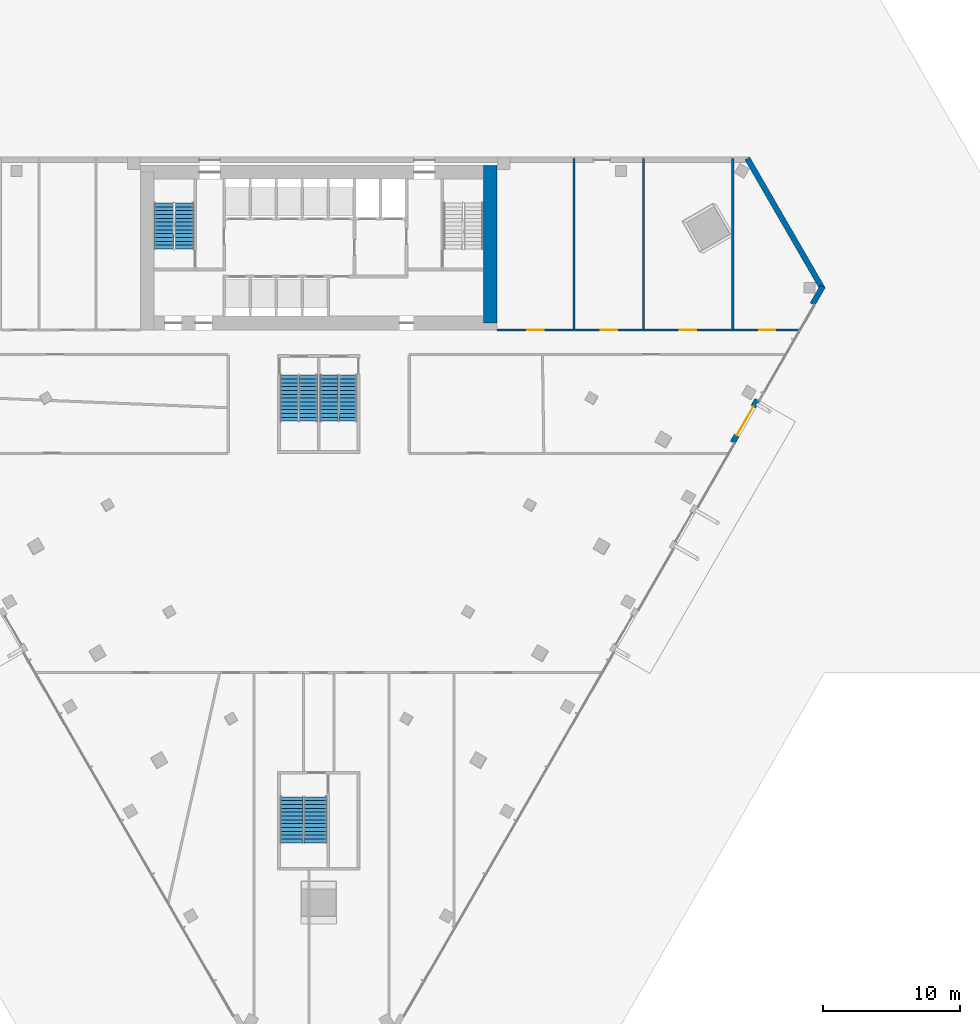
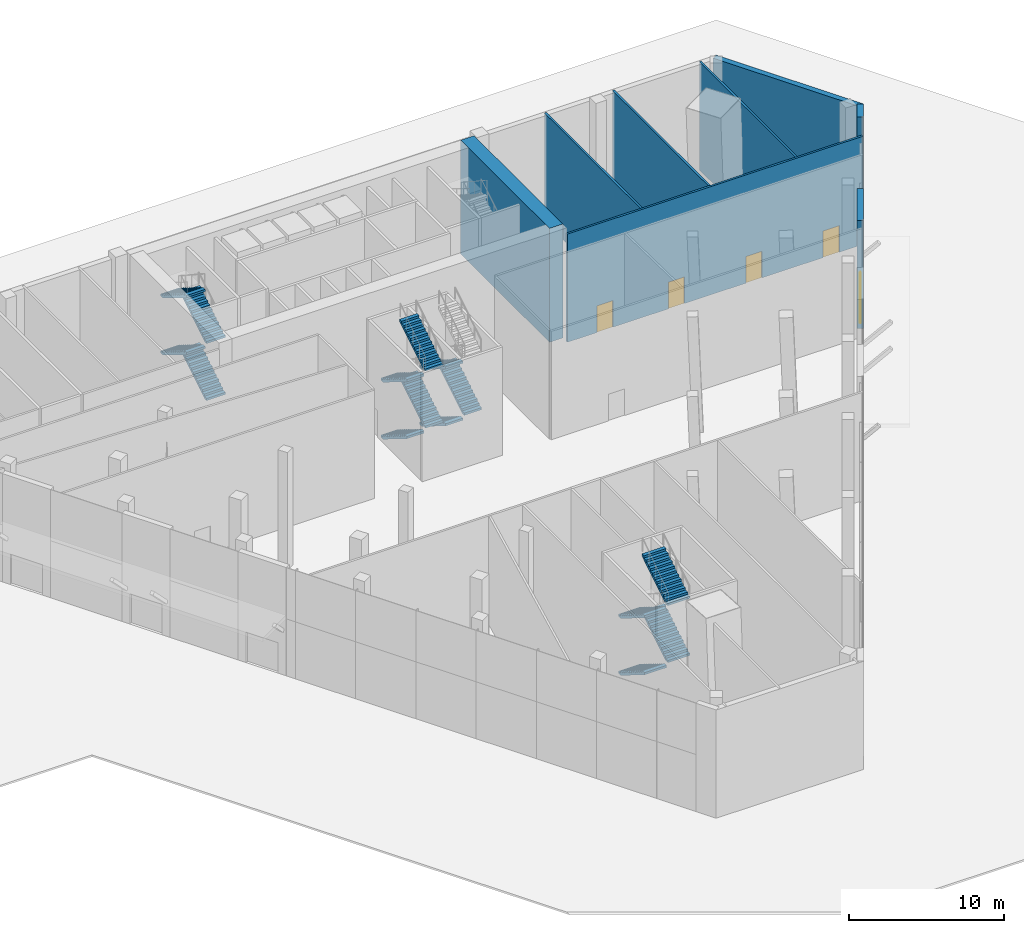
# One storey, part 15 of 21: 15 stair flights, 8 walls, 5 doors, 5 openings, 4 elements without a shape of their own.
"""IFC4 building model written with IfcOpenShell, lengths in metres."""

from ifc_helpers import new_model, si_unit, direction, frame, frame_2d, origin, place, context, subcontext, project, spatial, polyline, rectangle, outline, extrude, material, layer, layer_set, type_object, element, fill, aggregate, save


model = new_model("IFC4")

# Units and contexts
model_context = context("Model", 3, precision=1e-05, world=origin(), true_north=direction((0.0, 1.0)))
body_context = subcontext(model_context, "Body", "Model", "MODEL_VIEW")
ifc_project = project(units=[si_unit("LENGTHUNIT", "METRE"), si_unit("AREAUNIT", "SQUARE_METRE"), si_unit("VOLUMEUNIT", "CUBIC_METRE"), si_unit("PLANEANGLEUNIT", "RADIAN"), si_unit("MASSUNIT", "GRAM", prefix="KILO")], contexts=[model_context])

# Site, building, storey
site_placement = place(None, origin())
site = spatial("IfcSite", under=ifc_project, at=site_placement, CompositionType="ELEMENT")
building_placement = place(site_placement, origin())
building = spatial("IfcBuilding", under=site, at=building_placement, Name="Altiplano Prism Tower", CompositionType="ELEMENT")
storey_placement = place(building_placement, origin())
storey = spatial("IfcBuildingStorey", under=building, at=storey_placement, Name="L00", CompositionType="ELEMENT", Elevation=0.0)

# Wall
ifc_material_1 = material(Name="Concrete C70/85", Category="concrete")
ifc_layer_1 = layer(ifc_material_1, 1.0)
ifc_layer_set_1 = layer_set([ifc_layer_1], Name="Concrete C70/85")
wall_type_1 = type_object("IfcWallType", Name="Core wall 1000", PredefinedType="SHEAR", material=ifc_layer_set_1)
wall_1_placement = place(storey_placement, frame((97.5, 92.89990234375, 0.0), z_axis=(0.0, 0.0, 1.0), x_axis=(0.0, 1.0, 0.0)))
element("IfcWall", 1, at=wall_1_placement, inside=storey, type_object=wall_type_1, Name="Core wall E L00", PredefinedType="SHEAR", context=body_context, shape_type="SweptSolid", body=[
    extrude(rectangle(XDim=11.5, YDim=1.0, at=frame_2d((5.75, 0.0))), origin(), (0.0, 0.0, 1.0), 9.0),
])

# Wall, openings, doors
ifc_material_2 = material(Name="Plasterboard on steel stud", Category="steel")
ifc_layer_2 = layer(ifc_material_2, 0.14990234375)
ifc_layer_set_2 = layer_set([ifc_layer_2], Name="Plasterboard on steel stud")
wall_type_2 = type_object("IfcWallType", Name="Partition 150 corridor", PredefinedType="PARTITIONING", material=ifc_layer_set_2)
wall_2_placement = place(storey_placement, frame((120.083740234375, 92.39990234375, 0.0), z_axis=(0.0, 0.0, 1.0), x_axis=(-1.0, 0.0, 0.0)))
wall_2 = element("IfcWall", 2, at=wall_2_placement, inside=storey, type_object=wall_type_2, Name="Partition P06 L00 012", PredefinedType="PARTITIONING", context=body_context, shape_type="SweptSolid", body=[
    extrude(rectangle(XDim=22.083740234375, YDim=0.14990234375, at=frame_2d((11.0419921875, 0.0))), origin(), (0.0, 0.0, 1.0), 8.550048828125),
])
opening_1_placement = place(wall_2_placement, frame((7.53759765625, 0.0, 0.0)))
opening_1 = element("IfcOpeningElement", 3, at=opening_1_placement, cuts=wall_2, Name="Opening D0017", PredefinedType="OPENING", context=body_context, shape_type="SweptSolid", body=[
    extrude(rectangle(XDim=1.199951171875, YDim=2.10009765625, at=frame_2d((0.60009765625, 1.050048828125))), frame((0.0, 0.08544921875, 0.0), z_axis=(0.0, -1.0, 0.0), x_axis=(1.0, 0.0, 0.0)), (0.0, 0.0, 1.0), 0.1708984375),
])
opening_2_placement = place(wall_2_placement, frame((18.672607421875, 0.0, 0.0)))
opening_2 = element("IfcOpeningElement", 4, at=opening_2_placement, cuts=wall_2, Name="Opening D0018", PredefinedType="OPENING", context=body_context, shape_type="SweptSolid", body=[
    extrude(rectangle(XDim=1.199951171875, YDim=2.10009765625, at=frame_2d((0.60009765625, 1.050048828125))), frame((0.0, 0.08544921875, 0.0), z_axis=(0.0, -1.0, 0.0), x_axis=(1.0, 0.0, 0.0)), (0.0, 0.0, 1.0), 0.1708984375),
])
opening_3_placement = place(wall_2_placement, frame((13.324462890625, 0.0, 0.0)))
opening_3 = element("IfcOpeningElement", 5, at=opening_3_placement, cuts=wall_2, Name="Opening D0020", PredefinedType="OPENING", context=body_context, shape_type="SweptSolid", body=[
    extrude(rectangle(XDim=1.199951171875, YDim=2.10009765625, at=frame_2d((0.60009765625, 1.050048828125))), frame((0.0, 0.08544921875, 0.0), z_axis=(0.0, -1.0, 0.0), x_axis=(1.0, 0.0, 0.0)), (0.0, 0.0, 1.0), 0.1708984375),
])
opening_4_placement = place(wall_2_placement, frame((1.7724609375, 0.0, 0.0)))
opening_4 = element("IfcOpeningElement", 6, at=opening_4_placement, cuts=wall_2, Name="Opening D0021", PredefinedType="OPENING", context=body_context, shape_type="SweptSolid", body=[
    extrude(rectangle(XDim=1.199951171875, YDim=2.10009765625, at=frame_2d((0.60009765625, 1.050048828125))), frame((0.0, 0.08544921875, 0.0), z_axis=(0.0, -1.0, 0.0), x_axis=(1.0, 0.0, 0.0)), (0.0, 0.0, 1.0), 0.1708984375),
])
ifc_material_3 = material(Name="Timber", Category="wood")
door_type_1 = type_object("IfcDoorType", Name="Shared room door 1200 x 2100", OperationType="NOTDEFINED", PredefinedType="NOTDEFINED", material=ifc_material_3)
door_1_placement = place(opening_1_placement, origin())
door_1 = element("IfcDoor", 7, at=door_1_placement, inside=storey, type_object=door_type_1, Name="Door D0017", OperationType="SINGLE_SWING_LEFT", OverallHeight=2.10009765625, OverallWidth=1.199951171875, PredefinedType="NOTDEFINED", context=body_context, shape_type="SweptSolid", body=[
    extrude(rectangle(XDim=1.199951171875, YDim=2.10009765625, at=frame_2d((0.60009765625, 1.050048828125))), frame((0.0, 0.02490234375, 0.0), z_axis=(0.0, -1.0, 0.0), x_axis=(1.0, 0.0, 0.0)), (0.0, 0.0, 1.0), 0.050048828125),
])
fill(opening_1, door_1)
door_2_placement = place(opening_2_placement, origin())
door_2 = element("IfcDoor", 8, at=door_2_placement, inside=storey, type_object=door_type_1, Name="Door D0018", OperationType="SINGLE_SWING_RIGHT", OverallHeight=2.10009765625, OverallWidth=1.199951171875, PredefinedType="NOTDEFINED", context=body_context, shape_type="SweptSolid", body=[
    extrude(rectangle(XDim=1.199951171875, YDim=2.10009765625, at=frame_2d((0.60009765625, 1.050048828125))), frame((0.0, 0.02490234375, 0.0), z_axis=(0.0, -1.0, 0.0), x_axis=(1.0, 0.0, 0.0)), (0.0, 0.0, 1.0), 0.050048828125),
])
fill(opening_2, door_2)
door_3_placement = place(opening_3_placement, origin())
door_3 = element("IfcDoor", 9, at=door_3_placement, inside=storey, type_object=door_type_1, Name="Door D0020", OperationType="SINGLE_SWING_LEFT", OverallHeight=2.10009765625, OverallWidth=1.199951171875, PredefinedType="NOTDEFINED", context=body_context, shape_type="SweptSolid", body=[
    extrude(rectangle(XDim=1.199951171875, YDim=2.10009765625, at=frame_2d((0.60009765625, 1.050048828125))), frame((0.0, 0.02490234375, 0.0), z_axis=(0.0, -1.0, 0.0), x_axis=(1.0, 0.0, 0.0)), (0.0, 0.0, 1.0), 0.050048828125),
])
fill(opening_3, door_3)
door_4_placement = place(opening_4_placement, origin())
door_4 = element("IfcDoor", 10, at=door_4_placement, inside=storey, type_object=door_type_1, Name="Door D0021", OperationType="SINGLE_SWING_RIGHT", OverallHeight=2.10009765625, OverallWidth=1.199951171875, PredefinedType="NOTDEFINED", context=body_context, shape_type="SweptSolid", body=[
    extrude(rectangle(XDim=1.199951171875, YDim=2.10009765625, at=frame_2d((0.60009765625, 1.050048828125))), frame((0.0, 0.02490234375, 0.0), z_axis=(0.0, -1.0, 0.0), x_axis=(1.0, 0.0, 0.0)), (0.0, 0.0, 1.0), 0.050048828125),
])
fill(opening_4, door_4)

# Walls
ifc_layer_3 = layer(ifc_material_2, 0.14990234375)
ifc_layer_set_3 = layer_set([ifc_layer_3], Name="Plasterboard on steel stud")
wall_type_3 = type_object("IfcWallType", Name="Partition 150 party", PredefinedType="PARTITIONING", material=ifc_layer_set_3)
for number, where, z_axis, x_axis, name in (
    (11, (108.697509765625, 104.89990234375, 0.0), (0.0, 0.0, 1.0), (0.0, -1.0, 0.0), "Partition P01 L00 028"),
    (12, (115.1953125, 92.47509765625, 0.0), (0.0, 0.0, 1.0), (0.0, 1.0, 0.0), "Partition P01 L00 029"),
    (13, (103.62158203125, 92.47509765625, 0.0), (0.0, 0.0, 1.0), (0.0, 1.0, 0.0), "Partition P01 L00 030"),
):
    element("IfcWall", number, at=place(storey_placement, frame(where, z_axis=z_axis, x_axis=x_axis)), inside=storey, type_object=wall_type_3, Name=name, PredefinedType="PARTITIONING", context=body_context, shape_type="SweptSolid", body=[
        extrude(rectangle(XDim=12.4248046875, YDim=0.14990234375, at=frame_2d((6.21240234375, 0.0))), origin(), (0.0, 0.0, 1.0), 8.550048828125),
    ])

# Wall, opening, door
ifc_material_4 = material(Name="Concrete C40", Category="concrete")
ifc_layer_4 = layer(ifc_material_4, 0.39990234375)
ifc_layer_set_4 = layer_set([ifc_layer_4], Name="Concrete C40")
wall_type_4 = type_object("IfcWallType", Name="Stone-clad podium wall 400", PredefinedType="SOLIDWALL", material=ifc_layer_set_4)
wall_3_placement = place(storey_placement, frame((116.99072265625, 87.3095703125, 0.0), z_axis=(0.0, 0.0, 1.0), x_axis=(-0.500012057535, -0.866018442252, 0.0)))
wall_3 = element("IfcWall", 14, at=wall_3_placement, inside=storey, type_object=wall_type_4, Name="External wall south-east face L00", PredefinedType="SOLIDWALL", context=body_context, shape_type="SweptSolid", body=[
    extrude(rectangle(XDim=3.60009765625, YDim=0.39990234375, at=frame_2d((1.800048828125, 0.0))), origin(), (0.0, 0.0, 1.0), 8.550048828125),
])
opening_5_placement = place(wall_3_placement, frame((0.60009765625, 0.0, 0.0)))
opening_5 = element("IfcOpeningElement", 15, at=opening_5_placement, cuts=wall_3, Name="Opening D2561", PredefinedType="OPENING", context=body_context, shape_type="SweptSolid", body=[
    extrude(rectangle(XDim=2.39990234375, YDim=2.39990234375, at=frame_2d((1.199951171875, 1.199951171875))), frame((0.0, 0.21044921875, 0.0), z_axis=(0.0, -1.0, 0.0), x_axis=(1.0, 0.0, 0.0)), (0.0, 0.0, 1.0), 0.4208984375),
])
ifc_material_5 = material(Name="Glass", Category="glass")
door_type_2 = type_object("IfcDoorType", Name="Automatic sliding door 2400 x 2400", OperationType="NOTDEFINED", PredefinedType="NOTDEFINED", material=ifc_material_5)
door_5_placement = place(opening_5_placement, origin())
door_5 = element("IfcDoor", 16, at=door_5_placement, inside=storey, type_object=door_type_2, Name="Entrance door concourse south-east face 3", OperationType="SLIDING_TO_LEFT", OverallHeight=2.39990234375, OverallWidth=2.39990234375, PredefinedType="NOTDEFINED", context=body_context, shape_type="SweptSolid", body=[
    extrude(rectangle(XDim=2.39990234375, YDim=2.39990234375, at=frame_2d((1.199951171875, 1.199951171875))), frame((0.0, 0.02490234375, 0.0), z_axis=(0.0, -1.0, 0.0), x_axis=(1.0, 0.0, 0.0)), (0.0, 0.0, 1.0), 0.050048828125),
])
fill(opening_5, door_5)

# Walls
wall_4_placement = place(storey_placement, frame((121.761962890625, 95.57373046875, 0.0), z_axis=(0.0, 0.0, 1.0), x_axis=(-0.499990139034, -0.866031096941, 0.0)))
element("IfcWall", 17, at=wall_4_placement, inside=storey, type_object=wall_type_4, Name="External wall south-east face L00", PredefinedType="SOLIDWALL", context=body_context, shape_type="SweptSolid", body=[
    extrude(rectangle(XDim=1.5, YDim=0.39990234375, at=frame_2d((0.75, 0.0))), origin(), (0.0, 0.0, 1.0), 8.550048828125),
])
wall_5_placement = place(storey_placement, frame((116.261962890625, 104.89990234375, 0.0), z_axis=(0.0, 0.0, 1.0), x_axis=(0.50000615651, -0.866021849293, 0.0)))
element("IfcWall", 18, at=wall_5_placement, inside=storey, type_object=wall_type_4, Name="External wall north-east chamfer L00", PredefinedType="SOLIDWALL", context=body_context, shape_type="SweptSolid", body=[
    extrude(rectangle(XDim=10.999755859375, YDim=0.39990234375, at=frame_2d((5.5, 0.0))), origin(), (0.0, 0.0, 1.0), 8.550048828125),
])

# Stair, stair flights
ifc_material_6 = material(Name="Concrete C40/50", Category="concrete")
stair_type_1 = type_object("IfcStairType", Name="Exit stair 1400", PredefinedType="HALF_TURN_STAIR", material=ifc_material_6)
stair_1_placement = place(storey_placement, origin())
stair_1 = element("IfcStair", 19, at=stair_1_placement, inside=storey, type_object=stair_type_1, Name="L00 Exit Stair 1", PredefinedType="HALF_TURN_STAIR")
stair_flight_type = type_object("IfcStairFlightType", Name="Stair flight concrete 150", PredefinedType="STRAIGHT", material=ifc_material_6)
stair_flight_1_placement = place(storey_placement, frame((75.199951171875, 98.300048828125, 0.0), z_axis=(0.0, 0.0, 1.0), x_axis=(0.0, 1.0, 0.0)))
stair_flight_1 = element("IfcStairFlight", 20, at=stair_flight_1_placement, type_object=stair_flight_type, Name="ST1 flight 1", NumberOfRisers=13, NumberOfTreads=12, PredefinedType="STRAIGHT", RiserHeight=0.173076923, TreadLength=0.28, context=body_context, shape_type="SweptSolid", body=[
    extrude(outline(polyline([(0.0, 0.0), (0.0, 0.173095703125), (0.280029296875, 0.173095703125), (0.280029296875, 0.34619140625), (0.56005859375, 0.34619140625), (0.56005859375, 0.519287109375), (0.840087890625, 0.519287109375), (0.840087890625, 0.6923828125), (1.1201171875, 0.6923828125), (1.1201171875, 0.865478515625), (1.39990234375, 0.865478515625), (1.39990234375, 1.03857421875), (1.679931640625, 1.03857421875), (1.679931640625, 1.21142578125), (1.9599609375, 1.21142578125), (1.9599609375, 1.384521484375), (2.239990234375, 1.384521484375), (2.239990234375, 1.5576171875), (2.52001953125, 1.5576171875), (2.52001953125, 1.730712890625), (2.800048828125, 1.730712890625), (2.800048828125, 1.90380859375), (3.080078125, 1.90380859375), (3.080078125, 2.076904296875), (3.360107421875, 2.076904296875), (3.360107421875, 2.25), (3.360107421875, 1.900634765625), (0.28515625, 0.0), (0.0, 0.0)])), frame((0.0, 0.699951171875, 0.0), z_axis=(0.0, -1.0, 0.0), x_axis=(1.0, 0.0, 0.0)), (0.0, 0.0, 1.0), 1.39990234375),
])
stair_flight_2_placement = place(storey_placement, frame((73.699951171875, 101.659912109375, 2.25), z_axis=(0.0, 0.0, 1.0), x_axis=(0.0, -1.0, 0.0)))
stair_flight_2 = element("IfcStairFlight", 21, at=stair_flight_2_placement, type_object=stair_flight_type, Name="ST1 flight 2", NumberOfRisers=13, NumberOfTreads=12, PredefinedType="STRAIGHT", RiserHeight=0.173076923, TreadLength=0.28, context=body_context, shape_type="SweptSolid", body=[
    extrude(outline(polyline([(0.0, 0.0), (0.0, 0.173095703125), (0.280029296875, 0.173095703125), (0.280029296875, 0.34619140625), (0.56005859375, 0.34619140625), (0.56005859375, 0.519287109375), (0.840087890625, 0.519287109375), (0.840087890625, 0.6923828125), (1.1201171875, 0.6923828125), (1.1201171875, 0.865478515625), (1.39990234375, 0.865478515625), (1.39990234375, 1.03857421875), (1.679931640625, 1.03857421875), (1.679931640625, 1.21142578125), (1.9599609375, 1.21142578125), (1.9599609375, 1.384521484375), (2.239990234375, 1.384521484375), (2.239990234375, 1.5576171875), (2.52001953125, 1.5576171875), (2.52001953125, 1.730712890625), (2.800048828125, 1.730712890625), (2.800048828125, 1.90380859375), (3.080078125, 1.90380859375), (3.080078125, 2.076904296875), (3.360107421875, 2.076904296875), (3.360107421875, 2.25), (3.360107421875, 1.900634765625), (0.28515625, 0.0), (0.0, 0.0)])), frame((0.0, 0.699951171875, 0.0), z_axis=(0.0, -1.0, 0.0), x_axis=(1.0, 0.0, 0.0)), (0.0, 0.0, 1.0), 1.39990234375),
])
stair_flight_3_placement = place(storey_placement, frame((75.199951171875, 98.300048828125, 4.5), z_axis=(0.0, 0.0, 1.0), x_axis=(0.0, 1.0, 0.0)))
stair_flight_3 = element("IfcStairFlight", 22, at=stair_flight_3_placement, type_object=stair_flight_type, Name="ST1 flight 3", NumberOfRisers=13, NumberOfTreads=12, PredefinedType="STRAIGHT", RiserHeight=0.173076923, TreadLength=0.28, context=body_context, shape_type="SweptSolid", body=[
    extrude(outline(polyline([(0.0, 0.0), (0.0, 0.173095703125), (0.280029296875, 0.173095703125), (0.280029296875, 0.34619140625), (0.56005859375, 0.34619140625), (0.56005859375, 0.519287109375), (0.840087890625, 0.519287109375), (0.840087890625, 0.6923828125), (1.1201171875, 0.6923828125), (1.1201171875, 0.865478515625), (1.39990234375, 0.865478515625), (1.39990234375, 1.03857421875), (1.679931640625, 1.03857421875), (1.679931640625, 1.21142578125), (1.9599609375, 1.21142578125), (1.9599609375, 1.384521484375), (2.239990234375, 1.384521484375), (2.239990234375, 1.5576171875), (2.52001953125, 1.5576171875), (2.52001953125, 1.730712890625), (2.800048828125, 1.730712890625), (2.800048828125, 1.90380859375), (3.080078125, 1.90380859375), (3.080078125, 2.076904296875), (3.360107421875, 2.076904296875), (3.360107421875, 2.25), (3.360107421875, 1.900634765625), (0.28515625, 0.0), (0.0, 0.0)])), frame((0.0, 0.699951171875, 0.0), z_axis=(0.0, -1.0, 0.0), x_axis=(1.0, 0.0, 0.0)), (0.0, 0.0, 1.0), 1.39990234375),
])
stair_flight_4_placement = place(storey_placement, frame((73.699951171875, 101.659912109375, 6.75), z_axis=(0.0, 0.0, 1.0), x_axis=(0.0, -1.0, 0.0)))
stair_flight_4 = element("IfcStairFlight", 23, at=stair_flight_4_placement, type_object=stair_flight_type, Name="ST1 flight 4", NumberOfRisers=13, NumberOfTreads=12, PredefinedType="STRAIGHT", RiserHeight=0.173076923, TreadLength=0.28, context=body_context, shape_type="SweptSolid", body=[
    extrude(outline(polyline([(0.0, 0.0), (0.0, 0.173095703125), (0.280029296875, 0.173095703125), (0.280029296875, 0.34619140625), (0.56005859375, 0.34619140625), (0.56005859375, 0.519287109375), (0.840087890625, 0.519287109375), (0.840087890625, 0.6923828125), (1.1201171875, 0.6923828125), (1.1201171875, 0.865478515625), (1.39990234375, 0.865478515625), (1.39990234375, 1.03857421875), (1.679931640625, 1.03857421875), (1.679931640625, 1.21142578125), (1.9599609375, 1.21142578125), (1.9599609375, 1.384521484375), (2.239990234375, 1.384521484375), (2.239990234375, 1.5576171875), (2.52001953125, 1.5576171875), (2.52001953125, 1.730712890625), (2.800048828125, 1.730712890625), (2.800048828125, 1.90380859375), (3.080078125, 1.90380859375), (3.080078125, 2.076904296875), (3.360107421875, 2.076904296875), (3.360107421875, 2.25), (3.360107421875, 1.900634765625), (0.28515625, 0.0), (0.0, 0.0)])), frame((0.0, 0.699951171875, 0.0), z_axis=(0.0, -1.0, 0.0), x_axis=(1.0, 0.0, 0.0)), (0.0, 0.0, 1.0), 1.39990234375),
])
aggregate(stair_1, [stair_flight_1, stair_flight_2, stair_flight_3, stair_flight_4])

stair_type_2 = type_object("IfcStairType", Name="Exit stair 1300", PredefinedType="HALF_TURN_STAIR", material=ifc_material_6)
stair_2_placement = place(storey_placement, origin())
stair_2 = element("IfcStair", 24, at=stair_2_placement, inside=storey, type_object=stair_type_2, Name="L00 Exit Stair 3A", PredefinedType="HALF_TURN_STAIR")
stair_flight_5_placement = place(storey_placement, frame((82.85009765625, 89.10009765625, 0.0), z_axis=(0.0, 0.0, 1.0), x_axis=(0.0, -1.0, 0.0)))
stair_flight_5 = element("IfcStairFlight", 25, at=stair_flight_5_placement, type_object=stair_flight_type, Name="ST3A flight 1", NumberOfRisers=13, NumberOfTreads=12, PredefinedType="STRAIGHT", RiserHeight=0.173076923, TreadLength=0.28, context=body_context, shape_type="SweptSolid", body=[
    extrude(outline(polyline([(0.0, 0.0), (0.0, 0.173095703125), (0.280029296875, 0.173095703125), (0.280029296875, 0.34619140625), (0.56005859375, 0.34619140625), (0.56005859375, 0.519287109375), (0.840087890625, 0.519287109375), (0.840087890625, 0.6923828125), (1.1201171875, 0.6923828125), (1.1201171875, 0.865478515625), (1.39990234375, 0.865478515625), (1.39990234375, 1.03857421875), (1.679931640625, 1.03857421875), (1.679931640625, 1.21142578125), (1.9599609375, 1.21142578125), (1.9599609375, 1.384521484375), (2.239990234375, 1.384521484375), (2.239990234375, 1.5576171875), (2.52001953125, 1.5576171875), (2.52001953125, 1.730712890625), (2.800048828125, 1.730712890625), (2.800048828125, 1.90380859375), (3.080078125, 1.90380859375), (3.080078125, 2.076904296875), (3.360107421875, 2.076904296875), (3.360107421875, 2.25), (3.360107421875, 1.900634765625), (0.28515625, 0.0), (0.0, 0.0)])), frame((0.0, 0.64990234375, 0.0), z_axis=(0.0, -1.0, 0.0), x_axis=(1.0, 0.0, 0.0)), (0.0, 0.0, 1.0), 1.300048828125),
])
stair_flight_6_placement = place(storey_placement, frame((84.25, 85.739990234375, 2.25), z_axis=(0.0, 0.0, 1.0), x_axis=(0.0, 1.0, 0.0)))
stair_flight_6 = element("IfcStairFlight", 26, at=stair_flight_6_placement, type_object=stair_flight_type, Name="ST3A flight 2", NumberOfRisers=13, NumberOfTreads=12, PredefinedType="STRAIGHT", RiserHeight=0.173076923, TreadLength=0.28, context=body_context, shape_type="SweptSolid", body=[
    extrude(outline(polyline([(0.0, 0.0), (0.0, 0.173095703125), (0.280029296875, 0.173095703125), (0.280029296875, 0.34619140625), (0.56005859375, 0.34619140625), (0.56005859375, 0.519287109375), (0.840087890625, 0.519287109375), (0.840087890625, 0.6923828125), (1.1201171875, 0.6923828125), (1.1201171875, 0.865478515625), (1.39990234375, 0.865478515625), (1.39990234375, 1.03857421875), (1.679931640625, 1.03857421875), (1.679931640625, 1.21142578125), (1.9599609375, 1.21142578125), (1.9599609375, 1.384521484375), (2.239990234375, 1.384521484375), (2.239990234375, 1.5576171875), (2.52001953125, 1.5576171875), (2.52001953125, 1.730712890625), (2.800048828125, 1.730712890625), (2.800048828125, 1.90380859375), (3.080078125, 1.90380859375), (3.080078125, 2.076904296875), (3.360107421875, 2.076904296875), (3.360107421875, 2.25), (3.360107421875, 1.900634765625), (0.28515625, 0.0), (0.0, 0.0)])), frame((0.0, 0.64990234375, 0.0), z_axis=(0.0, -1.0, 0.0), x_axis=(1.0, 0.0, 0.0)), (0.0, 0.0, 1.0), 1.300048828125),
])
stair_flight_7_placement = place(storey_placement, frame((82.85009765625, 89.10009765625, 4.5), z_axis=(0.0, 0.0, 1.0), x_axis=(0.0, -1.0, 0.0)))
stair_flight_7 = element("IfcStairFlight", 27, at=stair_flight_7_placement, type_object=stair_flight_type, Name="ST3A flight 3", NumberOfRisers=13, NumberOfTreads=12, PredefinedType="STRAIGHT", RiserHeight=0.173076923, TreadLength=0.28, context=body_context, shape_type="SweptSolid", body=[
    extrude(outline(polyline([(0.0, 0.0), (0.0, 0.173095703125), (0.280029296875, 0.173095703125), (0.280029296875, 0.34619140625), (0.56005859375, 0.34619140625), (0.56005859375, 0.519287109375), (0.840087890625, 0.519287109375), (0.840087890625, 0.6923828125), (1.1201171875, 0.6923828125), (1.1201171875, 0.865478515625), (1.39990234375, 0.865478515625), (1.39990234375, 1.03857421875), (1.679931640625, 1.03857421875), (1.679931640625, 1.21142578125), (1.9599609375, 1.21142578125), (1.9599609375, 1.384521484375), (2.239990234375, 1.384521484375), (2.239990234375, 1.5576171875), (2.52001953125, 1.5576171875), (2.52001953125, 1.730712890625), (2.800048828125, 1.730712890625), (2.800048828125, 1.90380859375), (3.080078125, 1.90380859375), (3.080078125, 2.076904296875), (3.360107421875, 2.076904296875), (3.360107421875, 2.25), (3.360107421875, 1.900634765625), (0.28515625, 0.0), (0.0, 0.0)])), frame((0.0, 0.64990234375, 0.0), z_axis=(0.0, -1.0, 0.0), x_axis=(1.0, 0.0, 0.0)), (0.0, 0.0, 1.0), 1.300048828125),
])
stair_flight_8_placement = place(storey_placement, frame((84.25, 85.739990234375, 6.75), z_axis=(0.0, 0.0, 1.0), x_axis=(0.0, 1.0, 0.0)))
stair_flight_8 = element("IfcStairFlight", 28, at=stair_flight_8_placement, type_object=stair_flight_type, Name="ST3A flight 4", NumberOfRisers=13, NumberOfTreads=12, PredefinedType="STRAIGHT", RiserHeight=0.173076923, TreadLength=0.28, context=body_context, shape_type="SweptSolid", body=[
    extrude(outline(polyline([(0.0, 0.0), (0.0, 0.173095703125), (0.280029296875, 0.173095703125), (0.280029296875, 0.34619140625), (0.56005859375, 0.34619140625), (0.56005859375, 0.519287109375), (0.840087890625, 0.519287109375), (0.840087890625, 0.6923828125), (1.1201171875, 0.6923828125), (1.1201171875, 0.865478515625), (1.39990234375, 0.865478515625), (1.39990234375, 1.03857421875), (1.679931640625, 1.03857421875), (1.679931640625, 1.21142578125), (1.9599609375, 1.21142578125), (1.9599609375, 1.384521484375), (2.239990234375, 1.384521484375), (2.239990234375, 1.5576171875), (2.52001953125, 1.5576171875), (2.52001953125, 1.730712890625), (2.800048828125, 1.730712890625), (2.800048828125, 1.90380859375), (3.080078125, 1.90380859375), (3.080078125, 2.076904296875), (3.360107421875, 2.076904296875), (3.360107421875, 2.25), (3.360107421875, 1.900634765625), (0.28515625, 0.0), (0.0, 0.0)])), frame((0.0, 0.64990234375, 0.0), z_axis=(0.0, -1.0, 0.0), x_axis=(1.0, 0.0, 0.0)), (0.0, 0.0, 1.0), 1.300048828125),
])
aggregate(stair_2, [stair_flight_5, stair_flight_6, stair_flight_7, stair_flight_8])

stair_3_placement = place(storey_placement, origin())
stair_3 = element("IfcStair", 29, at=stair_3_placement, inside=storey, type_object=stair_type_2, Name="L00 Exit Stair 3B", PredefinedType="HALF_TURN_STAIR")
stair_flight_9_placement = place(storey_placement, frame((85.75, 89.10009765625, 0.0), z_axis=(0.0, 0.0, 1.0), x_axis=(0.0, -1.0, 0.0)))
stair_flight_9 = element("IfcStairFlight", 30, at=stair_flight_9_placement, type_object=stair_flight_type, Name="ST3B flight 1", NumberOfRisers=13, NumberOfTreads=12, PredefinedType="STRAIGHT", RiserHeight=0.173076923, TreadLength=0.28, context=body_context, shape_type="SweptSolid", body=[
    extrude(outline(polyline([(0.0, 0.0), (0.0, 0.173095703125), (0.280029296875, 0.173095703125), (0.280029296875, 0.34619140625), (0.56005859375, 0.34619140625), (0.56005859375, 0.519287109375), (0.840087890625, 0.519287109375), (0.840087890625, 0.6923828125), (1.1201171875, 0.6923828125), (1.1201171875, 0.865478515625), (1.39990234375, 0.865478515625), (1.39990234375, 1.03857421875), (1.679931640625, 1.03857421875), (1.679931640625, 1.21142578125), (1.9599609375, 1.21142578125), (1.9599609375, 1.384521484375), (2.239990234375, 1.384521484375), (2.239990234375, 1.5576171875), (2.52001953125, 1.5576171875), (2.52001953125, 1.730712890625), (2.800048828125, 1.730712890625), (2.800048828125, 1.90380859375), (3.080078125, 1.90380859375), (3.080078125, 2.076904296875), (3.360107421875, 2.076904296875), (3.360107421875, 2.25), (3.360107421875, 1.900634765625), (0.28515625, 0.0), (0.0, 0.0)])), frame((0.0, 0.64990234375, 0.0), z_axis=(0.0, -1.0, 0.0), x_axis=(1.0, 0.0, 0.0)), (0.0, 0.0, 1.0), 1.300048828125),
])
stair_flight_10_placement = place(storey_placement, frame((87.14990234375, 85.739990234375, 2.25), z_axis=(0.0, 0.0, 1.0), x_axis=(0.0, 1.0, 0.0)))
stair_flight_10 = element("IfcStairFlight", 31, at=stair_flight_10_placement, type_object=stair_flight_type, Name="ST3B flight 2", NumberOfRisers=13, NumberOfTreads=12, PredefinedType="STRAIGHT", RiserHeight=0.173076923, TreadLength=0.28, context=body_context, shape_type="SweptSolid", body=[
    extrude(outline(polyline([(0.0, 0.0), (0.0, 0.173095703125), (0.280029296875, 0.173095703125), (0.280029296875, 0.34619140625), (0.56005859375, 0.34619140625), (0.56005859375, 0.519287109375), (0.840087890625, 0.519287109375), (0.840087890625, 0.6923828125), (1.1201171875, 0.6923828125), (1.1201171875, 0.865478515625), (1.39990234375, 0.865478515625), (1.39990234375, 1.03857421875), (1.679931640625, 1.03857421875), (1.679931640625, 1.21142578125), (1.9599609375, 1.21142578125), (1.9599609375, 1.384521484375), (2.239990234375, 1.384521484375), (2.239990234375, 1.5576171875), (2.52001953125, 1.5576171875), (2.52001953125, 1.730712890625), (2.800048828125, 1.730712890625), (2.800048828125, 1.90380859375), (3.080078125, 1.90380859375), (3.080078125, 2.076904296875), (3.360107421875, 2.076904296875), (3.360107421875, 2.25), (3.360107421875, 1.900634765625), (0.28515625, 0.0), (0.0, 0.0)])), frame((0.0, 0.64990234375, 0.0), z_axis=(0.0, -1.0, 0.0), x_axis=(1.0, 0.0, 0.0)), (0.0, 0.0, 1.0), 1.300048828125),
])
stair_flight_11_placement = place(storey_placement, frame((85.75, 89.10009765625, 4.5), z_axis=(0.0, 0.0, 1.0), x_axis=(0.0, -1.0, 0.0)))
stair_flight_11 = element("IfcStairFlight", 32, at=stair_flight_11_placement, type_object=stair_flight_type, Name="ST3B flight 3", NumberOfRisers=13, NumberOfTreads=12, PredefinedType="STRAIGHT", RiserHeight=0.173076923, TreadLength=0.28, context=body_context, shape_type="SweptSolid", body=[
    extrude(outline(polyline([(0.0, 0.0), (0.0, 0.173095703125), (0.280029296875, 0.173095703125), (0.280029296875, 0.34619140625), (0.56005859375, 0.34619140625), (0.56005859375, 0.519287109375), (0.840087890625, 0.519287109375), (0.840087890625, 0.6923828125), (1.1201171875, 0.6923828125), (1.1201171875, 0.865478515625), (1.39990234375, 0.865478515625), (1.39990234375, 1.03857421875), (1.679931640625, 1.03857421875), (1.679931640625, 1.21142578125), (1.9599609375, 1.21142578125), (1.9599609375, 1.384521484375), (2.239990234375, 1.384521484375), (2.239990234375, 1.5576171875), (2.52001953125, 1.5576171875), (2.52001953125, 1.730712890625), (2.800048828125, 1.730712890625), (2.800048828125, 1.90380859375), (3.080078125, 1.90380859375), (3.080078125, 2.076904296875), (3.360107421875, 2.076904296875), (3.360107421875, 2.25), (3.360107421875, 1.900634765625), (0.28515625, 0.0), (0.0, 0.0)])), frame((0.0, 0.64990234375, 0.0), z_axis=(0.0, -1.0, 0.0), x_axis=(1.0, 0.0, 0.0)), (0.0, 0.0, 1.0), 1.300048828125),
])
aggregate(stair_3, [stair_flight_9, stair_flight_10, stair_flight_11])

stair_type_3 = type_object("IfcStairType", Name="Exit stair 1650", PredefinedType="HALF_TURN_STAIR", material=ifc_material_6)
stair_4_placement = place(storey_placement, origin())
stair_4 = element("IfcStair", 33, at=stair_4_placement, inside=storey, type_object=stair_type_3, Name="L00 Exit Stair 4", PredefinedType="HALF_TURN_STAIR")
stair_flight_12_placement = place(storey_placement, frame((83.02490234375, 58.35009765625, 0.0), z_axis=(0.0, 0.0, 1.0), x_axis=(0.0, -1.0, 0.0)))
stair_flight_12 = element("IfcStairFlight", 34, at=stair_flight_12_placement, type_object=stair_flight_type, Name="ST4 flight 1", NumberOfRisers=13, NumberOfTreads=12, PredefinedType="STRAIGHT", RiserHeight=0.173076923, TreadLength=0.28, context=body_context, shape_type="SweptSolid", body=[
    extrude(outline(polyline([(0.0, 0.0), (0.0, 0.173095703125), (0.280029296875, 0.173095703125), (0.280029296875, 0.34619140625), (0.56005859375, 0.34619140625), (0.56005859375, 0.519287109375), (0.840087890625, 0.519287109375), (0.840087890625, 0.6923828125), (1.1201171875, 0.6923828125), (1.1201171875, 0.865478515625), (1.39990234375, 0.865478515625), (1.39990234375, 1.03857421875), (1.679931640625, 1.03857421875), (1.679931640625, 1.21142578125), (1.9599609375, 1.21142578125), (1.9599609375, 1.384521484375), (2.239990234375, 1.384521484375), (2.239990234375, 1.5576171875), (2.52001953125, 1.5576171875), (2.52001953125, 1.730712890625), (2.800048828125, 1.730712890625), (2.800048828125, 1.90380859375), (3.080078125, 1.90380859375), (3.080078125, 2.076904296875), (3.360107421875, 2.076904296875), (3.360107421875, 2.25), (3.360107421875, 1.900634765625), (0.28515625, 0.0), (0.0, 0.0)])), frame((0.0, 0.824951171875, 0.0), z_axis=(0.0, -1.0, 0.0), x_axis=(1.0, 0.0, 0.0)), (0.0, 0.0, 1.0), 1.64990234375),
])
stair_flight_13_placement = place(storey_placement, frame((84.77490234375, 54.989990234375, 2.25), z_axis=(0.0, 0.0, 1.0), x_axis=(0.0, 1.0, 0.0)))
stair_flight_13 = element("IfcStairFlight", 35, at=stair_flight_13_placement, type_object=stair_flight_type, Name="ST4 flight 2", NumberOfRisers=13, NumberOfTreads=12, PredefinedType="STRAIGHT", RiserHeight=0.173076923, TreadLength=0.28, context=body_context, shape_type="SweptSolid", body=[
    extrude(outline(polyline([(0.0, 0.0), (0.0, 0.173095703125), (0.280029296875, 0.173095703125), (0.280029296875, 0.34619140625), (0.56005859375, 0.34619140625), (0.56005859375, 0.519287109375), (0.840087890625, 0.519287109375), (0.840087890625, 0.6923828125), (1.1201171875, 0.6923828125), (1.1201171875, 0.865478515625), (1.39990234375, 0.865478515625), (1.39990234375, 1.03857421875), (1.679931640625, 1.03857421875), (1.679931640625, 1.21142578125), (1.9599609375, 1.21142578125), (1.9599609375, 1.384521484375), (2.239990234375, 1.384521484375), (2.239990234375, 1.5576171875), (2.52001953125, 1.5576171875), (2.52001953125, 1.730712890625), (2.800048828125, 1.730712890625), (2.800048828125, 1.90380859375), (3.080078125, 1.90380859375), (3.080078125, 2.076904296875), (3.360107421875, 2.076904296875), (3.360107421875, 2.25), (3.360107421875, 1.900634765625), (0.28515625, 0.0), (0.0, 0.0)])), frame((0.0, 0.824951171875, 0.0), z_axis=(0.0, -1.0, 0.0), x_axis=(1.0, 0.0, 0.0)), (0.0, 0.0, 1.0), 1.64990234375),
])
stair_flight_14_placement = place(storey_placement, frame((83.02490234375, 58.35009765625, 4.5), z_axis=(0.0, 0.0, 1.0), x_axis=(0.0, -1.0, 0.0)))
stair_flight_14 = element("IfcStairFlight", 36, at=stair_flight_14_placement, type_object=stair_flight_type, Name="ST4 flight 3", NumberOfRisers=13, NumberOfTreads=12, PredefinedType="STRAIGHT", RiserHeight=0.173076923, TreadLength=0.28, context=body_context, shape_type="SweptSolid", body=[
    extrude(outline(polyline([(0.0, 0.0), (0.0, 0.173095703125), (0.280029296875, 0.173095703125), (0.280029296875, 0.34619140625), (0.56005859375, 0.34619140625), (0.56005859375, 0.519287109375), (0.840087890625, 0.519287109375), (0.840087890625, 0.6923828125), (1.1201171875, 0.6923828125), (1.1201171875, 0.865478515625), (1.39990234375, 0.865478515625), (1.39990234375, 1.03857421875), (1.679931640625, 1.03857421875), (1.679931640625, 1.21142578125), (1.9599609375, 1.21142578125), (1.9599609375, 1.384521484375), (2.239990234375, 1.384521484375), (2.239990234375, 1.5576171875), (2.52001953125, 1.5576171875), (2.52001953125, 1.730712890625), (2.800048828125, 1.730712890625), (2.800048828125, 1.90380859375), (3.080078125, 1.90380859375), (3.080078125, 2.076904296875), (3.360107421875, 2.076904296875), (3.360107421875, 2.25), (3.360107421875, 1.900634765625), (0.28515625, 0.0), (0.0, 0.0)])), frame((0.0, 0.824951171875, 0.0), z_axis=(0.0, -1.0, 0.0), x_axis=(1.0, 0.0, 0.0)), (0.0, 0.0, 1.0), 1.64990234375),
])
stair_flight_15_placement = place(storey_placement, frame((84.77490234375, 54.989990234375, 6.75), z_axis=(0.0, 0.0, 1.0), x_axis=(0.0, 1.0, 0.0)))
stair_flight_15 = element("IfcStairFlight", 37, at=stair_flight_15_placement, type_object=stair_flight_type, Name="ST4 flight 4", NumberOfRisers=13, NumberOfTreads=12, PredefinedType="STRAIGHT", RiserHeight=0.173076923, TreadLength=0.28, context=body_context, shape_type="SweptSolid", body=[
    extrude(outline(polyline([(0.0, 0.0), (0.0, 0.173095703125), (0.280029296875, 0.173095703125), (0.280029296875, 0.34619140625), (0.56005859375, 0.34619140625), (0.56005859375, 0.519287109375), (0.840087890625, 0.519287109375), (0.840087890625, 0.6923828125), (1.1201171875, 0.6923828125), (1.1201171875, 0.865478515625), (1.39990234375, 0.865478515625), (1.39990234375, 1.03857421875), (1.679931640625, 1.03857421875), (1.679931640625, 1.21142578125), (1.9599609375, 1.21142578125), (1.9599609375, 1.384521484375), (2.239990234375, 1.384521484375), (2.239990234375, 1.5576171875), (2.52001953125, 1.5576171875), (2.52001953125, 1.730712890625), (2.800048828125, 1.730712890625), (2.800048828125, 1.90380859375), (3.080078125, 1.90380859375), (3.080078125, 2.076904296875), (3.360107421875, 2.076904296875), (3.360107421875, 2.25), (3.360107421875, 1.900634765625), (0.28515625, 0.0), (0.0, 0.0)])), frame((0.0, 0.824951171875, 0.0), z_axis=(0.0, -1.0, 0.0), x_axis=(1.0, 0.0, 0.0)), (0.0, 0.0, 1.0), 1.64990234375),
])
aggregate(stair_4, [stair_flight_12, stair_flight_13, stair_flight_14, stair_flight_15])

save(model, "model.ifc")
